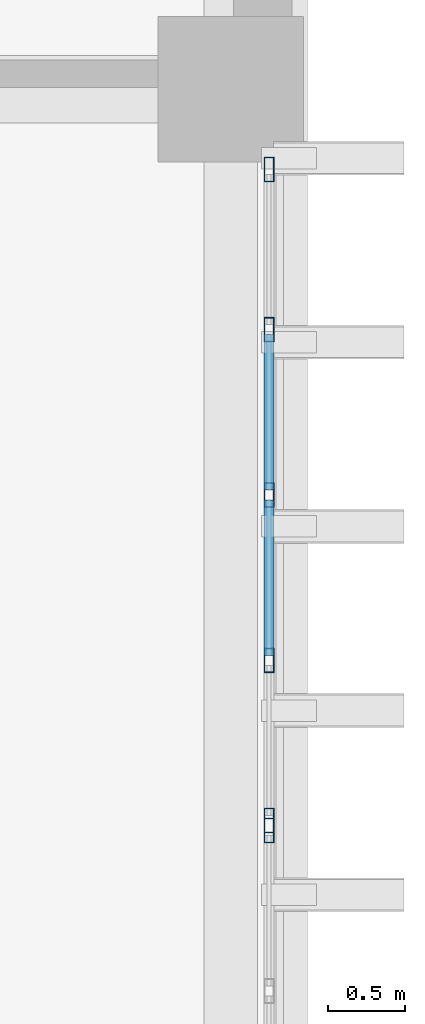
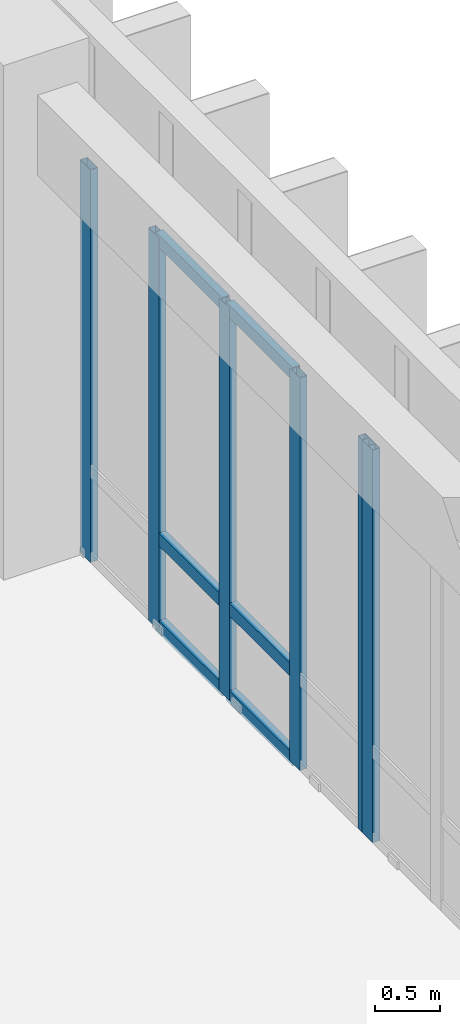
# One storey, part 68 of 133: 12 members, 2 elements without a shape of their own.
"""IFC4 building model written with IfcOpenShell, lengths in metres."""

from ifc_helpers import new_model, si_unit, direction, frame, origin, origin_2d, place, context, subcontext, project, spatial, hollow_rectangle, extrude, material, layer, layer_set, material_profile, profile_set, type_object, element, aggregate, save


model = new_model("IFC4")

# Units and contexts
model_context = context("Model", 3, precision=1e-05, world=origin(), true_north=direction((0.0, 1.0)))
body_context = subcontext(model_context, "Body", "Model", "MODEL_VIEW")
ifc_project = project(units=[si_unit("LENGTHUNIT", "METRE"), si_unit("AREAUNIT", "SQUARE_METRE"), si_unit("VOLUMEUNIT", "CUBIC_METRE"), si_unit("PLANEANGLEUNIT", "RADIAN"), si_unit("MASSUNIT", "GRAM", prefix="KILO")], contexts=[model_context])

# Site, building, storey
site_placement = place(None, origin())
site = spatial("IfcSite", under=ifc_project, at=site_placement, CompositionType="ELEMENT")
building_placement = place(site_placement, origin())
building = spatial("IfcBuilding", under=site, at=building_placement, Name="Nakhvara Creek Congress Hotel", CompositionType="ELEMENT")
storey_placement = place(building_placement, frame((0.0, 0.0, 11.39990234375)))
storey = spatial("IfcBuildingStorey", under=building, at=storey_placement, Name="L02", CompositionType="ELEMENT", Elevation=11.39990234375)

# Curtain wall, member
ifc_material_1 = material(Name="Bronze-anodised aluminium AW-6063-T6 and double-silver low-E glass", Category="aluminium")
ifc_layer = layer(ifc_material_1, 0.199951171875)
ifc_layer_set = layer_set([ifc_layer], Name="Bronze-anodised aluminium AW-6063-T6 and double-silver low-E glass")
curtain_wall_type = type_object("IfcCurtainWallType", Name="CW-HTL-UNIT", PredefinedType="USERDEFINED", material=ifc_layer_set)
curtain_wall_1_placement = place(storey_placement, origin())
curtain_wall_1 = element("IfcCurtainWall", 1, at=curtain_wall_1_placement, inside=storey, type_object=curtain_wall_type, Name="Curtain Wall CW136", ObjectType="UNITISED", PredefinedType="USERDEFINED")
ifc_material_2 = material(Name="Bronze-anodised aluminium AW-6063-T6", Category="aluminium")
ifc_material_profile_1 = material_profile(ifc_material_2, hollow_rectangle(XDim=0.06494140625, YDim=0.159912109375, WallThickness=0.00390625, at=origin_2d()), Name="ALU-MULL 65x160x4", Category="LoadBearing")
ifc_profile_set_1 = profile_set([ifc_material_profile_1], Name="Bronze-anodised aluminium AW-6063-T6")
member_type_1 = type_object("IfcMemberType", Name="CW-MULL-160", PredefinedType="MULLION", material=ifc_profile_set_1)
member_1_placement = place(storey_placement, frame((179.60009765625, 62.367431640625, 0.0), z_axis=(0.0, 0.0, 1.0), x_axis=(1.0, 0.0, 0.0)))
member_1 = element("IfcMember", 2, at=member_1_placement, type_object=member_type_1, Name="CW136 mullion 1", PredefinedType="MULLION", context=body_context, shape_type="SweptSolid", body=[
    extrude(hollow_rectangle(XDim=0.06494140625, YDim=0.159912109375, WallThickness=0.00390625, at=origin_2d()), origin(), (0.0, 0.0, 1.0), 3.662109375),
])
aggregate(curtain_wall_1, [member_1])

# Curtain wall, members
curtain_wall_2_placement = place(storey_placement, origin())
curtain_wall_2 = element("IfcCurtainWall", 3, at=curtain_wall_2_placement, inside=storey, type_object=curtain_wall_type, Name="Curtain Wall CW137", ObjectType="UNITISED", PredefinedType="USERDEFINED")
member_2_placement = place(storey_placement, frame((179.60009765625, 66.677490234375, 0.0), z_axis=(0.0, 0.0, 1.0), x_axis=(1.0, 0.0, 0.0)))
member_2 = element("IfcMember", 4, at=member_2_placement, type_object=member_type_1, Name="CW137 mullion 1", PredefinedType="MULLION", context=body_context, shape_type="SweptSolid", body=[
    extrude(hollow_rectangle(XDim=0.06494140625, YDim=0.159912109375, WallThickness=0.00390625, at=origin_2d()), origin(), (0.0, 0.0, 1.0), 3.662109375),
])
member_3_placement = place(storey_placement, frame((179.60009765625, 65.632568359375, 0.0), z_axis=(0.0, 0.0, 1.0), x_axis=(1.0, 0.0, 0.0)))
member_3 = element("IfcMember", 5, at=member_3_placement, type_object=member_type_1, Name="CW137 mullion 2", PredefinedType="MULLION", context=body_context, shape_type="SweptSolid", body=[
    extrude(hollow_rectangle(XDim=0.06494140625, YDim=0.159912109375, WallThickness=0.00390625, at=origin_2d()), origin(), (0.0, 0.0, 1.0), 3.662109375),
])
member_4_placement = place(storey_placement, frame((179.60009765625, 64.554931640625, 0.0), z_axis=(0.0, 0.0, 1.0), x_axis=(1.0, 0.0, 0.0)))
member_4 = element("IfcMember", 6, at=member_4_placement, type_object=member_type_1, Name="CW137 mullion 3", PredefinedType="MULLION", context=body_context, shape_type="SweptSolid", body=[
    extrude(hollow_rectangle(XDim=0.06494140625, YDim=0.159912109375, WallThickness=0.00390625, at=origin_2d()), origin(), (0.0, 0.0, 1.0), 3.662109375),
])
member_5_placement = place(storey_placement, frame((179.60009765625, 63.4775390625, 0.0), z_axis=(0.0, 0.0, 1.0), x_axis=(1.0, 0.0, 0.0)))
member_5 = element("IfcMember", 7, at=member_5_placement, type_object=member_type_1, Name="CW137 mullion 4", PredefinedType="MULLION", context=body_context, shape_type="SweptSolid", body=[
    extrude(hollow_rectangle(XDim=0.06494140625, YDim=0.159912109375, WallThickness=0.00390625, at=origin_2d()), origin(), (0.0, 0.0, 1.0), 3.662109375),
])
member_6_placement = place(storey_placement, frame((179.60009765625, 62.4326171875, 0.0), z_axis=(0.0, 0.0, 1.0), x_axis=(1.0, 0.0, 0.0)))
member_6 = element("IfcMember", 8, at=member_6_placement, type_object=member_type_1, Name="CW137 mullion 5", PredefinedType="MULLION", context=body_context, shape_type="SweptSolid", body=[
    extrude(hollow_rectangle(XDim=0.06494140625, YDim=0.159912109375, WallThickness=0.00390625, at=origin_2d()), origin(), (0.0, 0.0, 1.0), 3.662109375),
])
ifc_material_profile_2 = material_profile(ifc_material_2, hollow_rectangle(XDim=0.06494140625, YDim=0.1201171875, WallThickness=0.00390625, at=origin_2d()), Name="ALU-TRAN 65x120x4", Category="LoadBearing")
ifc_profile_set_2 = profile_set([ifc_material_profile_2], Name="Bronze-anodised aluminium AW-6063-T6")
member_type_2 = type_object("IfcMemberType", Name="CW-TRAN-120", PredefinedType="USERDEFINED", material=ifc_profile_set_2)
member_7_placement = place(storey_placement, frame((179.60009765625, 65.60009765625, 0.03271484375), z_axis=(0.0, -1.0, 0.0), x_axis=(1.0, 0.0, 0.0)))
member_7 = element("IfcMember", 9, at=member_7_placement, type_object=member_type_2, Name="CW137 transom 2.1", ObjectType="TRANSOM", PredefinedType="USERDEFINED", context=body_context, shape_type="SweptSolid", body=[
    extrude(hollow_rectangle(XDim=0.06494140625, YDim=0.1201171875, WallThickness=0.00390625, at=origin_2d()), origin(), (0.0, 0.0, 1.0), 1.0126953125),
])
member_8_placement = place(storey_placement, frame((179.60009765625, 65.60009765625, 0.85009765625), z_axis=(0.0, -1.0, 0.0), x_axis=(1.0, 0.0, 0.0)))
member_8 = element("IfcMember", 10, at=member_8_placement, type_object=member_type_2, Name="CW137 transom 2.2", ObjectType="TRANSOM", PredefinedType="USERDEFINED", context=body_context, shape_type="SweptSolid", body=[
    extrude(hollow_rectangle(XDim=0.06494140625, YDim=0.1201171875, WallThickness=0.00390625, at=origin_2d()), origin(), (0.0, 0.0, 1.0), 1.0126953125),
])
member_9_placement = place(storey_placement, frame((179.60009765625, 65.60009765625, 3.629638671875), z_axis=(0.0, -1.0, 0.0), x_axis=(1.0, 0.0, 0.0)))
member_9 = element("IfcMember", 11, at=member_9_placement, type_object=member_type_2, Name="CW137 transom 2.3", ObjectType="TRANSOM", PredefinedType="USERDEFINED", context=body_context, shape_type="SweptSolid", body=[
    extrude(hollow_rectangle(XDim=0.06494140625, YDim=0.1201171875, WallThickness=0.00390625, at=origin_2d()), origin(), (0.0, 0.0, 1.0), 1.0126953125),
])
member_10_placement = place(storey_placement, frame((179.60009765625, 64.5224609375, 0.03271484375), z_axis=(0.0, -1.0, 0.0), x_axis=(1.0, 0.0, 0.0)))
member_10 = element("IfcMember", 12, at=member_10_placement, type_object=member_type_2, Name="CW137 transom 3.1", ObjectType="TRANSOM", PredefinedType="USERDEFINED", context=body_context, shape_type="SweptSolid", body=[
    extrude(hollow_rectangle(XDim=0.06494140625, YDim=0.1201171875, WallThickness=0.00390625, at=origin_2d()), origin(), (0.0, 0.0, 1.0), 1.012451171875),
])
member_11_placement = place(storey_placement, frame((179.60009765625, 64.5224609375, 0.85009765625), z_axis=(0.0, -1.0, 0.0), x_axis=(1.0, 0.0, 0.0)))
member_11 = element("IfcMember", 13, at=member_11_placement, type_object=member_type_2, Name="CW137 transom 3.2", ObjectType="TRANSOM", PredefinedType="USERDEFINED", context=body_context, shape_type="SweptSolid", body=[
    extrude(hollow_rectangle(XDim=0.06494140625, YDim=0.1201171875, WallThickness=0.00390625, at=origin_2d()), origin(), (0.0, 0.0, 1.0), 1.012451171875),
])
member_12_placement = place(storey_placement, frame((179.60009765625, 64.5224609375, 3.629638671875), z_axis=(0.0, -1.0, 0.0), x_axis=(1.0, 0.0, 0.0)))
member_12 = element("IfcMember", 14, at=member_12_placement, type_object=member_type_2, Name="CW137 transom 3.3", ObjectType="TRANSOM", PredefinedType="USERDEFINED", context=body_context, shape_type="SweptSolid", body=[
    extrude(hollow_rectangle(XDim=0.06494140625, YDim=0.1201171875, WallThickness=0.00390625, at=origin_2d()), origin(), (0.0, 0.0, 1.0), 1.012451171875),
])
aggregate(curtain_wall_2, [member_2, member_3, member_4, member_5, member_6, member_7, member_8, member_9, member_10, member_11, member_12])

save(model, "model.ifc")
